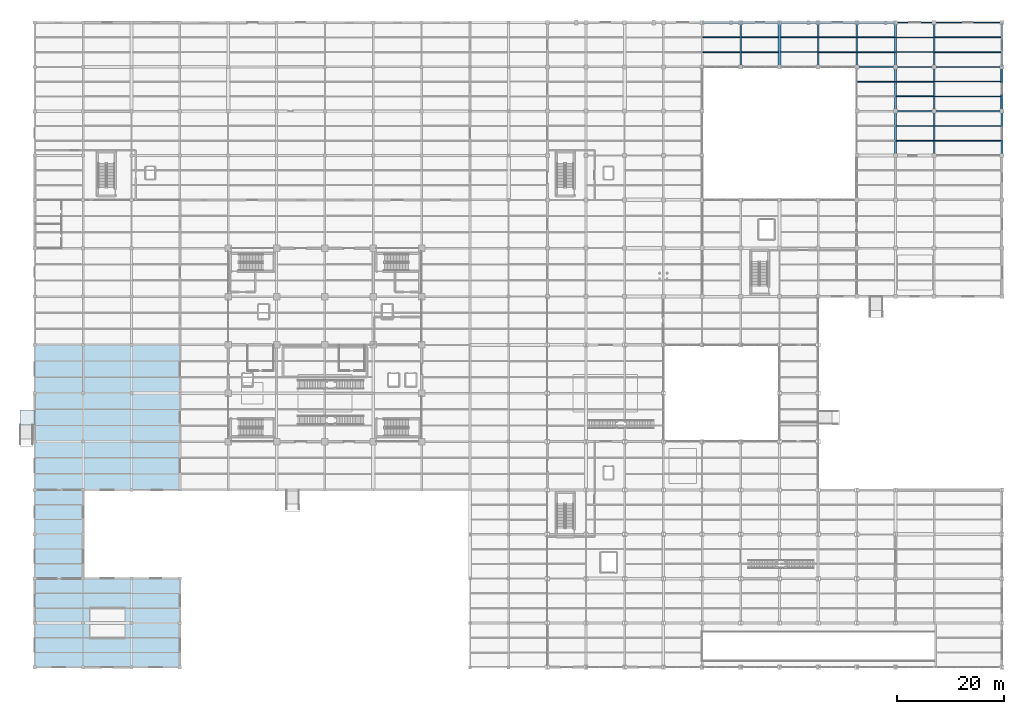
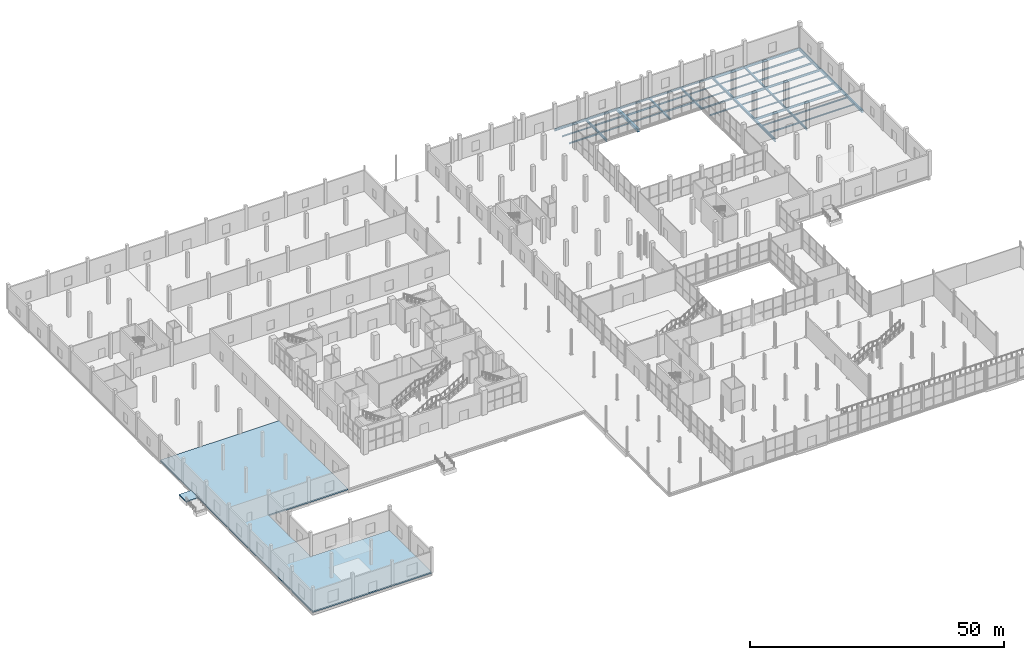
# One storey, part 114 of 144: 48 beams, 2 slabs.
"""IFC4 building model written with IfcOpenShell, lengths in metres."""

from ifc_helpers import new_model, si_unit, direction, frame, origin, origin_2d, place, context, subcontext, project, spatial, polyline, rectangle, i_section, outline, extrude, material, layer, layer_set, material_profile, profile_set, type_object, element, save


model = new_model("IFC4")

# Units and contexts
model_context = context("Model", 3, precision=1e-05, world=origin(), true_north=direction((0.0, 1.0)))
body_context = subcontext(model_context, "Body", "Model", "MODEL_VIEW")
ifc_project = project(units=[si_unit("LENGTHUNIT", "METRE"), si_unit("AREAUNIT", "SQUARE_METRE"), si_unit("VOLUMEUNIT", "CUBIC_METRE"), si_unit("PLANEANGLEUNIT", "RADIAN"), si_unit("MASSUNIT", "GRAM", prefix="KILO")], contexts=[model_context])

# Site, building, storey
site_placement = place(None, origin())
site = spatial("IfcSite", under=ifc_project, at=site_placement, CompositionType="ELEMENT")
building_placement = place(site_placement, origin())
building = spatial("IfcBuilding", under=site, at=building_placement, Name="Sundgate Opera House", CompositionType="ELEMENT")
storey_placement = place(building_placement, origin())
storey = spatial("IfcBuildingStorey", under=building, at=storey_placement, Name="L00", CompositionType="ELEMENT", Elevation=0.0)

# Beams
ifc_material_1 = material(Name="Steel S355J2", Category="steel")
ifc_material_profile_1 = material_profile(ifc_material_1, i_section(OverallWidth=0.300048828125, OverallDepth=0.330078125, WebThickness=0.009521484375, FlangeThickness=0.0166015625, at=origin_2d()), Name="HEA 340")
ifc_profile_set_1 = profile_set([ifc_material_profile_1], Name="Steel S355J2")
beam_type_1 = type_object("IfcBeamType", Name="BM-GR-HEA340", PredefinedType="BEAM", material=ifc_profile_set_1)
for number, where, z_axis, x_axis, name in (
    (1, (153.0, 111.75, -0.485107421875), (1.0, 0.0, 0.0), (0.0, 1.0, 0.0), "L00 Primary E-W Girder B0577"),
    (2, (153.0, 120.0, -0.485107421875), (1.0, 0.0, 0.0), (0.0, 1.0, 0.0), "L00 Primary E-W Girder B0599"),
):
    element("IfcBeam", number, at=place(storey_placement, frame(where, z_axis=z_axis, x_axis=x_axis)), inside=storey, type_object=beam_type_1, Name=name, PredefinedType="BEAM", context=body_context, shape_type="SweptSolid", body=[
        extrude(i_section(OverallWidth=0.300048828125, OverallDepth=0.330078125, WebThickness=0.009521484375, FlangeThickness=0.0166015625, at=origin_2d()), origin(), (0.0, 0.0, 1.0), 7.199951171875),
    ])
ifc_material_2 = material(Name="Steel S355J2", Category="steel")
ifc_material_profile_2 = material_profile(ifc_material_2, i_section(OverallWidth=0.300048828125, OverallDepth=0.35009765625, WebThickness=0.010009765625, FlangeThickness=0.017578125, at=origin_2d()), Name="HEA 360")
ifc_profile_set_2 = profile_set([ifc_material_profile_2], Name="Steel S355J2")
beam_type_2 = type_object("IfcBeamType", Name="BM-GR-HEA360", PredefinedType="BEAM", material=ifc_profile_set_2)
beam_1_placement = place(storey_placement, frame((167.39990234375, 111.75, -0.4951171875), z_axis=(0.0, 1.0, 0.0), x_axis=(-1.0, 0.0, 0.0)))
element("IfcBeam", 3, at=beam_1_placement, inside=storey, type_object=beam_type_2, Name="L00 Primary N-S Girder B0312", PredefinedType="BEAM", context=body_context, shape_type="SweptSolid", body=[
    extrude(i_section(OverallWidth=0.300048828125, OverallDepth=0.35009765625, WebThickness=0.010009765625, FlangeThickness=0.017578125, at=origin_2d()), origin(), (0.0, 0.0, 1.0), 8.25),
])
beam_2_placement = place(storey_placement, frame((145.800048828125, 120.0, -0.4951171875), z_axis=(1.0, 0.0, 0.0), x_axis=(0.0, 1.0, 0.0)))
element("IfcBeam", 4, at=beam_2_placement, inside=storey, type_object=beam_type_2, Name="L00 Primary E-W Girder B0598", PredefinedType="BEAM", context=body_context, shape_type="SweptSolid", body=[
    extrude(i_section(OverallWidth=0.300048828125, OverallDepth=0.35009765625, WebThickness=0.010009765625, FlangeThickness=0.017578125, at=origin_2d()), origin(), (0.0, 0.0, 1.0), 7.199951171875),
])
ifc_material_3 = material(Name="Steel S355J2", Category="steel")
ifc_material_profile_3 = material_profile(ifc_material_3, i_section(OverallWidth=0.300048828125, OverallDepth=0.389892578125, WebThickness=0.010986328125, FlangeThickness=0.01904296875, at=origin_2d()), Name="HEA 400")
ifc_profile_set_3 = profile_set([ifc_material_profile_3], Name="Steel S355J2")
beam_type_3 = type_object("IfcBeamType", Name="BM-GR-HEA400", PredefinedType="BEAM", material=ifc_profile_set_3)
beam_3_placement = place(storey_placement, frame((167.39990234375, 103.5, -0.514892578125), z_axis=(0.0, 1.0, 0.0), x_axis=(-1.0, 0.0, 0.0)))
element("IfcBeam", 5, at=beam_3_placement, inside=storey, type_object=beam_type_3, Name="L00 Primary N-S Girder B0311", PredefinedType="BEAM", context=body_context, shape_type="SweptSolid", body=[
    extrude(i_section(OverallWidth=0.300048828125, OverallDepth=0.389892578125, WebThickness=0.010986328125, FlangeThickness=0.01904296875, at=origin_2d()), origin(), (0.0, 0.0, 1.0), 8.25),
])
beam_4_placement = place(storey_placement, frame((138.60009765625, 120.0, -0.514892578125), z_axis=(1.0, 0.0, 0.0), x_axis=(0.0, 1.0, 0.0)))
element("IfcBeam", 6, at=beam_4_placement, inside=storey, type_object=beam_type_3, Name="L00 Primary E-W Girder B0597", PredefinedType="BEAM", context=body_context, shape_type="SweptSolid", body=[
    extrude(i_section(OverallWidth=0.300048828125, OverallDepth=0.389892578125, WebThickness=0.010986328125, FlangeThickness=0.01904296875, at=origin_2d()), origin(), (0.0, 0.0, 1.0), 7.199951171875),
])
ifc_material_4 = material(Name="Steel S355J2", Category="steel")
ifc_material_profile_4 = material_profile(ifc_material_4, i_section(OverallWidth=0.300048828125, OverallDepth=0.43994140625, WebThickness=0.011474609375, FlangeThickness=0.02099609375, at=origin_2d()), Name="HEA 450")
ifc_profile_set_4 = profile_set([ifc_material_profile_4], Name="Steel S355J2")
beam_type_4 = type_object("IfcBeamType", Name="BM-GR-HEA450", PredefinedType="BEAM", material=ifc_profile_set_4)
beam_5_placement = place(storey_placement, frame((167.39990234375, 95.25, -0.5400390625), z_axis=(0.0, 1.0, 0.0), x_axis=(-1.0, 0.0, 0.0)))
element("IfcBeam", 7, at=beam_5_placement, inside=storey, type_object=beam_type_4, Name="L00 Primary N-S Girder B0310", PredefinedType="BEAM", context=body_context, shape_type="SweptSolid", body=[
    extrude(i_section(OverallWidth=0.300048828125, OverallDepth=0.43994140625, WebThickness=0.011474609375, FlangeThickness=0.02099609375, at=origin_2d()), origin(), (0.0, 0.0, 1.0), 8.25),
])
beam_6_placement = place(storey_placement, frame((131.39990234375, 120.0, -0.5400390625), z_axis=(1.0, 0.0, 0.0), x_axis=(0.0, 1.0, 0.0)))
element("IfcBeam", 8, at=beam_6_placement, inside=storey, type_object=beam_type_4, Name="L00 Primary E-W Girder B0596", PredefinedType="BEAM", context=body_context, shape_type="SweptSolid", body=[
    extrude(i_section(OverallWidth=0.300048828125, OverallDepth=0.43994140625, WebThickness=0.011474609375, FlangeThickness=0.02099609375, at=origin_2d()), origin(), (0.0, 0.0, 1.0), 7.2001953125),
])
ifc_material_5 = material(Name="Steel S355J2", Category="steel")
ifc_material_profile_5 = material_profile(ifc_material_5, i_section(OverallWidth=0.300048828125, OverallDepth=0.489990234375, WebThickness=0.011962890625, FlangeThickness=0.02294921875, at=origin_2d()), Name="HEA 500")
ifc_profile_set_5 = profile_set([ifc_material_profile_5], Name="Steel S355J2")
beam_type_5 = type_object("IfcBeamType", Name="BM-GR-HEA500", PredefinedType="BEAM", material=ifc_profile_set_5)
beam_7_placement = place(storey_placement, frame((124.199951171875, 120.0, -0.56494140625), z_axis=(1.0, 0.0, 0.0), x_axis=(0.0, 1.0, 0.0)))
element("IfcBeam", 9, at=beam_7_placement, inside=storey, type_object=beam_type_5, Name="L00 Primary E-W Girder B0595", PredefinedType="BEAM", context=body_context, shape_type="SweptSolid", body=[
    extrude(i_section(OverallWidth=0.300048828125, OverallDepth=0.489990234375, WebThickness=0.011962890625, FlangeThickness=0.02294921875, at=origin_2d()), origin(), (0.0, 0.0, 1.0), 7.199951171875),
])
ifc_material_6 = material(Name="Steel S355J2", Category="steel")
ifc_material_profile_6 = material_profile(ifc_material_6, i_section(OverallWidth=0.300048828125, OverallDepth=0.590087890625, WebThickness=0.012939453125, FlangeThickness=0.02490234375, at=origin_2d()), Name="HEA 600")
ifc_profile_set_6 = profile_set([ifc_material_profile_6], Name="Steel S355J2")
beam_type_6 = type_object("IfcBeamType", Name="BM-GR-HEA600", PredefinedType="BEAM", material=ifc_profile_set_6)
beam_8_placement = place(storey_placement, frame((131.39990234375, 111.75, -0.614990234375), z_axis=(0.0, 1.0, 0.0), x_axis=(-1.0, 0.0, 0.0)))
element("IfcBeam", 10, at=beam_8_placement, inside=storey, type_object=beam_type_6, Name="L00 Primary N-S Girder B0265", PredefinedType="BEAM", context=body_context, shape_type="SweptSolid", body=[
    extrude(i_section(OverallWidth=0.300048828125, OverallDepth=0.590087890625, WebThickness=0.012939453125, FlangeThickness=0.02490234375, at=origin_2d()), origin(), (0.0, 0.0, 1.0), 8.25),
])
ifc_material_7 = material(Name="Steel S355J2", Category="steel")
ifc_material_profile_7 = material_profile(ifc_material_7, i_section(OverallWidth=0.300048828125, OverallDepth=0.39990234375, WebThickness=0.013427734375, FlangeThickness=0.02392578125, at=origin_2d()), Name="HEB 400")
ifc_profile_set_7 = profile_set([ifc_material_profile_7], Name="Steel S355J2")
beam_type_7 = type_object("IfcBeamType", Name="BM-GR-HEB400", PredefinedType="BEAM", material=ifc_profile_set_7)
beam_9_placement = place(storey_placement, frame((145.800048828125, 111.75, -0.52001953125), z_axis=(0.0, 1.0, 0.0), x_axis=(-1.0, 0.0, 0.0)))
element("IfcBeam", 11, at=beam_9_placement, inside=storey, type_object=beam_type_7, Name="L00 Primary N-S Girder B0285", PredefinedType="BEAM", context=body_context, shape_type="SweptSolid", body=[
    extrude(i_section(OverallWidth=0.300048828125, OverallDepth=0.39990234375, WebThickness=0.013427734375, FlangeThickness=0.02392578125, at=origin_2d()), origin(), (0.0, 0.0, 1.0), 8.25),
])
ifc_material_8 = material(Name="Steel S355J2", Category="steel")
ifc_material_profile_8 = material_profile(ifc_material_8, i_section(OverallWidth=0.300048828125, OverallDepth=0.60009765625, WebThickness=0.015380859375, FlangeThickness=0.030029296875, at=origin_2d()), Name="HEB 600")
ifc_profile_set_8 = profile_set([ifc_material_profile_8], Name="Steel S355J2")
beam_type_8 = type_object("IfcBeamType", Name="BM-GR-HEB600", PredefinedType="BEAM", material=ifc_profile_set_8)
beam_10_placement = place(storey_placement, frame((160.199951171875, 111.75, -0.6201171875), z_axis=(0.0, 1.0, 0.0), x_axis=(-1.0, 0.0, 0.0)))
element("IfcBeam", 12, at=beam_10_placement, inside=storey, type_object=beam_type_8, Name="L00 Primary N-S Girder B0303", PredefinedType="BEAM", context=body_context, shape_type="SweptSolid", body=[
    extrude(i_section(OverallWidth=0.300048828125, OverallDepth=0.60009765625, WebThickness=0.015380859375, FlangeThickness=0.030029296875, at=origin_2d()), origin(), (0.0, 0.0, 1.0), 8.25),
])
ifc_material_9 = material(Name="Steel S355J2", Category="steel")
ifc_material_profile_9 = material_profile(ifc_material_9, i_section(OverallWidth=0.300048828125, OverallDepth=0.64990234375, WebThickness=0.01611328125, FlangeThickness=0.031005859375, at=origin_2d()), Name="HEB 650")
ifc_profile_set_9 = profile_set([ifc_material_profile_9], Name="Steel S355J2")
beam_type_9 = type_object("IfcBeamType", Name="BM-GR-HEB650", PredefinedType="BEAM", material=ifc_profile_set_9)
beam_11_placement = place(storey_placement, frame((160.199951171875, 103.5, -0.64501953125), z_axis=(0.0, 1.0, 0.0), x_axis=(-1.0, 0.0, 0.0)))
element("IfcBeam", 13, at=beam_11_placement, inside=storey, type_object=beam_type_9, Name="L00 Primary N-S Girder B0302", PredefinedType="BEAM", context=body_context, shape_type="SweptSolid", body=[
    extrude(i_section(OverallWidth=0.300048828125, OverallDepth=0.64990234375, WebThickness=0.01611328125, FlangeThickness=0.031005859375, at=origin_2d()), origin(), (0.0, 0.0, 1.0), 8.25),
])
ifc_material_10 = material(Name="Steel S355J2", Category="steel")
ifc_material_profile_10 = material_profile(ifc_material_10, i_section(OverallWidth=0.300048828125, OverallDepth=0.699951171875, WebThickness=0.01708984375, FlangeThickness=0.031982421875, at=origin_2d()), Name="HEB 700")
ifc_profile_set_10 = profile_set([ifc_material_profile_10], Name="Steel S355J2")
beam_type_10 = type_object("IfcBeamType", Name="BM-GR-HEB700", PredefinedType="BEAM", material=ifc_profile_set_10)
for number, where, z_axis, x_axis, name in (
    (14, (160.199951171875, 95.25, -0.669921875), (0.0, 1.0, 0.0), (-1.0, 0.0, 0.0), "L00 Primary N-S Girder B0301"),
    (15, (180.0, 111.75, -0.669921875), (0.0, 1.0, 0.0), (-1.0, 0.0, 0.0), "L00 Primary N-S Girder B0322"),
):
    element("IfcBeam", number, at=place(storey_placement, frame(where, z_axis=z_axis, x_axis=x_axis)), inside=storey, type_object=beam_type_10, Name=name, PredefinedType="BEAM", context=body_context, shape_type="SweptSolid", body=[
        extrude(i_section(OverallWidth=0.300048828125, OverallDepth=0.699951171875, WebThickness=0.01708984375, FlangeThickness=0.031982421875, at=origin_2d()), origin(), (0.0, 0.0, 1.0), 8.25),
    ])
ifc_material_11 = material(Name="Steel S355J2", Category="steel")
ifc_material_profile_11 = material_profile(ifc_material_11, i_section(OverallWidth=0.2099609375, OverallDepth=0.550048828125, WebThickness=0.010986328125, FlangeThickness=0.01708984375, at=origin_2d()), Name="IPE 550")
ifc_profile_set_11 = profile_set([ifc_material_profile_11], Name="Steel S355J2")
beam_type_11 = type_object("IfcBeamType", Name="BM-GR-IPE550", PredefinedType="BEAM", material=ifc_profile_set_11)
beam_12_placement = place(storey_placement, frame((153.0, 111.75, -0.594970703125), z_axis=(0.0, 1.0, 0.0), x_axis=(-1.0, 0.0, 0.0)))
element("IfcBeam", 16, at=beam_12_placement, inside=storey, type_object=beam_type_11, Name="L00 Primary N-S Girder B0294", PredefinedType="BEAM", context=body_context, shape_type="SweptSolid", body=[
    extrude(i_section(OverallWidth=0.2099609375, OverallDepth=0.550048828125, WebThickness=0.010986328125, FlangeThickness=0.01708984375, at=origin_2d()), origin(), (0.0, 0.0, 1.0), 8.25),
])
for number, where, z_axis, x_axis, name in (
    (17, (167.39990234375, 103.5, -0.594970703125), (1.0, 0.0, 0.0), (0.0, 1.0, 0.0), "L00 Primary E-W Girder B0557"),
    (18, (167.39990234375, 111.75, -0.594970703125), (1.0, 0.0, 0.0), (0.0, 1.0, 0.0), "L00 Primary E-W Girder B0579"),
    (19, (167.39990234375, 120.0, -0.594970703125), (1.0, 0.0, 0.0), (0.0, 1.0, 0.0), "L00 Primary E-W Girder B0601"),
):
    element("IfcBeam", number, at=place(storey_placement, frame(where, z_axis=z_axis, x_axis=x_axis)), inside=storey, type_object=beam_type_11, Name=name, PredefinedType="BEAM", context=body_context, shape_type="SweptSolid", body=[
        extrude(i_section(OverallWidth=0.2099609375, OverallDepth=0.550048828125, WebThickness=0.010986328125, FlangeThickness=0.01708984375, at=origin_2d()), origin(), (0.0, 0.0, 1.0), 12.60009765625),
    ])
ifc_material_12 = material(Name="Steel S355J2", Category="steel")
ifc_material_profile_12 = material_profile(ifc_material_12, i_section(OverallWidth=0.219970703125, OverallDepth=0.60009765625, WebThickness=0.011962890625, FlangeThickness=0.01904296875, at=origin_2d()), Name="IPE 600")
ifc_profile_set_12 = profile_set([ifc_material_profile_12], Name="Steel S355J2")
beam_type_12 = type_object("IfcBeamType", Name="BM-GR-IPE600", PredefinedType="BEAM", material=ifc_profile_set_12)
for number, where, z_axis, x_axis, name in (
    (20, (160.199951171875, 103.5, -0.6201171875), (1.0, 0.0, 0.0), (0.0, 1.0, 0.0), "L00 Primary E-W Girder B0556"),
    (21, (160.199951171875, 111.75, -0.6201171875), (1.0, 0.0, 0.0), (0.0, 1.0, 0.0), "L00 Primary E-W Girder B0578"),
    (22, (160.199951171875, 120.0, -0.6201171875), (1.0, 0.0, 0.0), (0.0, 1.0, 0.0), "L00 Primary E-W Girder B0600"),
):
    element("IfcBeam", number, at=place(storey_placement, frame(where, z_axis=z_axis, x_axis=x_axis)), inside=storey, type_object=beam_type_12, Name=name, PredefinedType="BEAM", context=body_context, shape_type="SweptSolid", body=[
        extrude(i_section(OverallWidth=0.219970703125, OverallDepth=0.60009765625, WebThickness=0.011962890625, FlangeThickness=0.01904296875, at=origin_2d()), origin(), (0.0, 0.0, 1.0), 7.199951171875),
    ])
ifc_material_13 = material(Name="Steel S355J2", Category="steel")
ifc_material_profile_13 = material_profile(ifc_material_13, i_section(OverallWidth=0.1201171875, OverallDepth=0.239990234375, WebThickness=0.006103515625, FlangeThickness=0.009765625, at=origin_2d()), Name="IPE 240")
ifc_profile_set_13 = profile_set([ifc_material_profile_13], Name="Steel S355J2")
beam_type_13 = type_object("IfcBeamType", Name="BM-JS-IPE240", PredefinedType="JOIST", material=ifc_profile_set_13)
beam_13_placement = place(storey_placement, frame((167.550048828125, 109.0, -0.43994140625), z_axis=(1.0, 0.0, 0.0), x_axis=(0.0, 1.0, 0.0)))
element("IfcBeam", 23, at=beam_13_placement, inside=storey, type_object=beam_type_13, Name="L00 Secondary Floor Joist B1021", PredefinedType="JOIST", context=body_context, shape_type="SweptSolid", body=[
    extrude(i_section(OverallWidth=0.1201171875, OverallDepth=0.239990234375, WebThickness=0.006103515625, FlangeThickness=0.009765625, at=origin_2d()), origin(), (0.0, 0.0, 1.0), 12.27490234375),
])
beam_14_placement = place(storey_placement, frame((138.85009765625, 114.5, -0.43994140625), z_axis=(1.0, 0.0, 0.0), x_axis=(0.0, 1.0, 0.0)))
element("IfcBeam", 24, at=beam_14_placement, inside=storey, type_object=beam_type_13, Name="L00 Secondary Floor Joist B1056", PredefinedType="JOIST", context=body_context, shape_type="SweptSolid", body=[
    extrude(i_section(OverallWidth=0.1201171875, OverallDepth=0.239990234375, WebThickness=0.006103515625, FlangeThickness=0.009765625, at=origin_2d()), origin(), (0.0, 0.0, 1.0), 6.7998046875),
])
beam_15_placement = place(storey_placement, frame((160.35009765625, 117.25, -0.43994140625), z_axis=(1.0, 0.0, 0.0), x_axis=(0.0, 1.0, 0.0)))
element("IfcBeam", 25, at=beam_15_placement, inside=storey, type_object=beam_type_13, Name="L00 Secondary Floor Joist B1063", PredefinedType="JOIST", context=body_context, shape_type="SweptSolid", body=[
    extrude(i_section(OverallWidth=0.1201171875, OverallDepth=0.239990234375, WebThickness=0.006103515625, FlangeThickness=0.009765625, at=origin_2d()), origin(), (0.0, 0.0, 1.0), 6.89990234375),
])
ifc_material_14 = material(Name="Steel S355J2", Category="steel")
ifc_material_profile_14 = material_profile(ifc_material_14, i_section(OverallWidth=0.135009765625, OverallDepth=0.27001953125, WebThickness=0.006591796875, FlangeThickness=0.01025390625, at=origin_2d()), Name="IPE 270")
ifc_profile_set_14 = profile_set([ifc_material_profile_14], Name="Steel S355J2")
beam_type_14 = type_object("IfcBeamType", Name="BM-JS-IPE270", PredefinedType="JOIST", material=ifc_profile_set_14)
beam_16_placement = place(storey_placement, frame((167.550048828125, 100.75, -0.455078125), z_axis=(1.0, 0.0, 0.0), x_axis=(0.0, 1.0, 0.0)))
element("IfcBeam", 26, at=beam_16_placement, inside=storey, type_object=beam_type_14, Name="L00 Secondary Floor Joist B0985", PredefinedType="JOIST", context=body_context, shape_type="SweptSolid", body=[
    extrude(i_section(OverallWidth=0.135009765625, OverallDepth=0.27001953125, WebThickness=0.006591796875, FlangeThickness=0.01025390625, at=origin_2d()), origin(), (0.0, 0.0, 1.0), 12.25),
])
beam_17_placement = place(storey_placement, frame((167.550048828125, 106.25, -0.455078125), z_axis=(1.0, 0.0, 0.0), x_axis=(0.0, 1.0, 0.0)))
element("IfcBeam", 27, at=beam_17_placement, inside=storey, type_object=beam_type_14, Name="L00 Secondary Floor Joist B1020", PredefinedType="JOIST", context=body_context, shape_type="SweptSolid", body=[
    extrude(i_section(OverallWidth=0.135009765625, OverallDepth=0.27001953125, WebThickness=0.006591796875, FlangeThickness=0.01025390625, at=origin_2d()), origin(), (0.0, 0.0, 1.0), 12.27490234375),
])
beam_18_placement = place(storey_placement, frame((131.550048828125, 117.25, -0.455078125), z_axis=(1.0, 0.0, 0.0), x_axis=(0.0, 1.0, 0.0)))
element("IfcBeam", 28, at=beam_18_placement, inside=storey, type_object=beam_type_14, Name="L00 Secondary Floor Joist B1055", PredefinedType="JOIST", context=body_context, shape_type="SweptSolid", body=[
    extrude(i_section(OverallWidth=0.135009765625, OverallDepth=0.27001953125, WebThickness=0.006591796875, FlangeThickness=0.01025390625, at=origin_2d()), origin(), (0.0, 0.0, 1.0), 6.800048828125),
])
beam_19_placement = place(storey_placement, frame((160.35009765625, 114.5, -0.455078125), z_axis=(1.0, 0.0, 0.0), x_axis=(0.0, 1.0, 0.0)))
element("IfcBeam", 29, at=beam_19_placement, inside=storey, type_object=beam_type_14, Name="L00 Secondary Floor Joist B1062", PredefinedType="JOIST", context=body_context, shape_type="SweptSolid", body=[
    extrude(i_section(OverallWidth=0.135009765625, OverallDepth=0.27001953125, WebThickness=0.006591796875, FlangeThickness=0.01025390625, at=origin_2d()), origin(), (0.0, 0.0, 1.0), 6.89990234375),
])
ifc_material_15 = material(Name="Steel S355J2", Category="steel")
ifc_material_profile_15 = material_profile(ifc_material_15, i_section(OverallWidth=0.14990234375, OverallDepth=0.300048828125, WebThickness=0.007080078125, FlangeThickness=0.0107421875, at=origin_2d()), Name="IPE 300")
ifc_profile_set_15 = profile_set([ifc_material_profile_15], Name="Steel S355J2")
beam_type_15 = type_object("IfcBeamType", Name="BM-JS-IPE300", PredefinedType="JOIST", material=ifc_profile_set_15)
beam_20_placement = place(storey_placement, frame((167.550048828125, 98.0, -0.469970703125), z_axis=(1.0, 0.0, 0.0), x_axis=(0.0, 1.0, 0.0)))
element("IfcBeam", 30, at=beam_20_placement, inside=storey, type_object=beam_type_15, Name="L00 Secondary Floor Joist B0984", PredefinedType="JOIST", context=body_context, shape_type="SweptSolid", body=[
    extrude(i_section(OverallWidth=0.14990234375, OverallDepth=0.300048828125, WebThickness=0.007080078125, FlangeThickness=0.0107421875, at=origin_2d()), origin(), (0.0, 0.0, 1.0), 12.25),
])
beam_21_placement = place(storey_placement, frame((160.35009765625, 109.0, -0.469970703125), z_axis=(1.0, 0.0, 0.0), x_axis=(0.0, 1.0, 0.0)))
element("IfcBeam", 31, at=beam_21_placement, inside=storey, type_object=beam_type_15, Name="L00 Secondary Floor Joist B1019", PredefinedType="JOIST", context=body_context, shape_type="SweptSolid", body=[
    extrude(i_section(OverallWidth=0.14990234375, OverallDepth=0.300048828125, WebThickness=0.007080078125, FlangeThickness=0.0107421875, at=origin_2d()), origin(), (0.0, 0.0, 1.0), 6.89990234375),
])
beam_22_placement = place(storey_placement, frame((131.550048828125, 114.5, -0.469970703125), z_axis=(1.0, 0.0, 0.0), x_axis=(0.0, 1.0, 0.0)))
element("IfcBeam", 32, at=beam_22_placement, inside=storey, type_object=beam_type_15, Name="L00 Secondary Floor Joist B1054", PredefinedType="JOIST", context=body_context, shape_type="SweptSolid", body=[
    extrude(i_section(OverallWidth=0.14990234375, OverallDepth=0.300048828125, WebThickness=0.007080078125, FlangeThickness=0.0107421875, at=origin_2d()), origin(), (0.0, 0.0, 1.0), 6.800048828125),
])
beam_23_placement = place(storey_placement, frame((153.10498046875, 117.25, -0.469970703125), z_axis=(1.0, 0.0, 0.0), x_axis=(0.0, 1.0, 0.0)))
element("IfcBeam", 33, at=beam_23_placement, inside=storey, type_object=beam_type_15, Name="L00 Secondary Floor Joist B1061", PredefinedType="JOIST", context=body_context, shape_type="SweptSolid", body=[
    extrude(i_section(OverallWidth=0.14990234375, OverallDepth=0.300048828125, WebThickness=0.007080078125, FlangeThickness=0.0107421875, at=origin_2d()), origin(), (0.0, 0.0, 1.0), 6.945068359375),
])
ifc_material_16 = material(Name="Steel S355J2", Category="steel")
ifc_material_profile_16 = material_profile(ifc_material_16, i_section(OverallWidth=0.159912109375, OverallDepth=0.330078125, WebThickness=0.007568359375, FlangeThickness=0.011474609375, at=origin_2d()), Name="IPE 330")
ifc_profile_set_16 = profile_set([ifc_material_profile_16], Name="Steel S355J2")
beam_type_16 = type_object("IfcBeamType", Name="BM-JS-IPE330", PredefinedType="JOIST", material=ifc_profile_set_16)
for number, where, z_axis, x_axis, name in (
    (34, (160.35009765625, 100.75, -0.485107421875), (1.0, 0.0, 0.0), (0.0, 1.0, 0.0), "L00 Secondary Floor Joist B0983"),
    (35, (160.35009765625, 106.25, -0.485107421875), (1.0, 0.0, 0.0), (0.0, 1.0, 0.0), "L00 Secondary Floor Joist B1018"),
    (36, (124.35009765625, 117.25, -0.485107421875), (1.0, 0.0, 0.0), (0.0, 1.0, 0.0), "L00 Secondary Floor Joist B1053"),
):
    element("IfcBeam", number, at=place(storey_placement, frame(where, z_axis=z_axis, x_axis=x_axis)), inside=storey, type_object=beam_type_16, Name=name, PredefinedType="JOIST", context=body_context, shape_type="SweptSolid", body=[
        extrude(i_section(OverallWidth=0.159912109375, OverallDepth=0.330078125, WebThickness=0.007568359375, FlangeThickness=0.011474609375, at=origin_2d()), origin(), (0.0, 0.0, 1.0), 6.89990234375),
    ])
beam_24_placement = place(storey_placement, frame((153.10498046875, 114.5, -0.485107421875), z_axis=(1.0, 0.0, 0.0), x_axis=(0.0, 1.0, 0.0)))
element("IfcBeam", 37, at=beam_24_placement, inside=storey, type_object=beam_type_16, Name="L00 Secondary Floor Joist B1060", PredefinedType="JOIST", context=body_context, shape_type="SweptSolid", body=[
    extrude(i_section(OverallWidth=0.159912109375, OverallDepth=0.330078125, WebThickness=0.007568359375, FlangeThickness=0.011474609375, at=origin_2d()), origin(), (0.0, 0.0, 1.0), 6.945068359375),
])
ifc_material_17 = material(Name="Steel S355J2", Category="steel")
ifc_material_profile_17 = material_profile(ifc_material_17, i_section(OverallWidth=0.169921875, OverallDepth=0.360107421875, WebThickness=0.008056640625, FlangeThickness=0.0126953125, at=origin_2d()), Name="IPE 360")
ifc_profile_set_17 = profile_set([ifc_material_profile_17], Name="Steel S355J2")
beam_type_17 = type_object("IfcBeamType", Name="BM-JS-IPE360", PredefinedType="JOIST", material=ifc_profile_set_17)
beam_25_placement = place(storey_placement, frame((160.35009765625, 98.0, -0.5), z_axis=(1.0, 0.0, 0.0), x_axis=(0.0, 1.0, 0.0)))
element("IfcBeam", 38, at=beam_25_placement, inside=storey, type_object=beam_type_17, Name="L00 Secondary Floor Joist B0982", PredefinedType="JOIST", context=body_context, shape_type="SweptSolid", body=[
    extrude(i_section(OverallWidth=0.169921875, OverallDepth=0.360107421875, WebThickness=0.008056640625, FlangeThickness=0.0126953125, at=origin_2d()), origin(), (0.0, 0.0, 1.0), 6.89990234375),
])
beam_26_placement = place(storey_placement, frame((153.110107421875, 109.0, -0.5), z_axis=(1.0, 0.0, 0.0), x_axis=(0.0, 1.0, 0.0)))
element("IfcBeam", 39, at=beam_26_placement, inside=storey, type_object=beam_type_17, Name="L00 Secondary Floor Joist B1017", PredefinedType="JOIST", context=body_context, shape_type="SweptSolid", body=[
    extrude(i_section(OverallWidth=0.169921875, OverallDepth=0.360107421875, WebThickness=0.008056640625, FlangeThickness=0.0126953125, at=origin_2d()), origin(), (0.0, 0.0, 1.0), 6.93994140625),
])
beam_27_placement = place(storey_placement, frame((124.35009765625, 114.5, -0.5), z_axis=(1.0, 0.0, 0.0), x_axis=(0.0, 1.0, 0.0)))
element("IfcBeam", 40, at=beam_27_placement, inside=storey, type_object=beam_type_17, Name="L00 Secondary Floor Joist B1052", PredefinedType="JOIST", context=body_context, shape_type="SweptSolid", body=[
    extrude(i_section(OverallWidth=0.169921875, OverallDepth=0.360107421875, WebThickness=0.008056640625, FlangeThickness=0.0126953125, at=origin_2d()), origin(), (0.0, 0.0, 1.0), 6.89990234375),
])
beam_28_placement = place(storey_placement, frame((145.949951171875, 117.25, -0.5), z_axis=(1.0, 0.0, 0.0), x_axis=(0.0, 1.0, 0.0)))
element("IfcBeam", 41, at=beam_28_placement, inside=storey, type_object=beam_type_17, Name="L00 Secondary Floor Joist B1059", PredefinedType="JOIST", context=body_context, shape_type="SweptSolid", body=[
    extrude(i_section(OverallWidth=0.169921875, OverallDepth=0.360107421875, WebThickness=0.008056640625, FlangeThickness=0.0126953125, at=origin_2d()), origin(), (0.0, 0.0, 1.0), 6.945068359375),
])
ifc_material_18 = material(Name="Steel S355J2", Category="steel")
ifc_material_profile_18 = material_profile(ifc_material_18, i_section(OverallWidth=0.179931640625, OverallDepth=0.39990234375, WebThickness=0.008544921875, FlangeThickness=0.013427734375, at=origin_2d()), Name="IPE 400")
ifc_profile_set_18 = profile_set([ifc_material_profile_18], Name="Steel S355J2")
beam_type_18 = type_object("IfcBeamType", Name="BM-JS-IPE400", PredefinedType="JOIST", material=ifc_profile_set_18)
beam_29_placement = place(storey_placement, frame((145.949951171875, 114.5, -0.52001953125), z_axis=(1.0, 0.0, 0.0), x_axis=(0.0, 1.0, 0.0)))
element("IfcBeam", 42, at=beam_29_placement, inside=storey, type_object=beam_type_18, Name="L00 Secondary Floor Joist B1058", PredefinedType="JOIST", context=body_context, shape_type="SweptSolid", body=[
    extrude(i_section(OverallWidth=0.179931640625, OverallDepth=0.39990234375, WebThickness=0.008544921875, FlangeThickness=0.013427734375, at=origin_2d()), origin(), (0.0, 0.0, 1.0), 6.945068359375),
])
beam_30_placement = place(storey_placement, frame((167.550048828125, 117.25, -0.52001953125), z_axis=(1.0, 0.0, 0.0), x_axis=(0.0, 1.0, 0.0)))
element("IfcBeam", 43, at=beam_30_placement, inside=storey, type_object=beam_type_18, Name="L00 Secondary Floor Joist B1065", PredefinedType="JOIST", context=body_context, shape_type="SweptSolid", body=[
    extrude(i_section(OverallWidth=0.179931640625, OverallDepth=0.39990234375, WebThickness=0.008544921875, FlangeThickness=0.013427734375, at=origin_2d()), origin(), (0.0, 0.0, 1.0), 12.300048828125),
])
ifc_material_19 = material(Name="Steel S355J2", Category="steel")
ifc_material_profile_19 = material_profile(ifc_material_19, i_section(OverallWidth=0.18994140625, OverallDepth=0.449951171875, WebThickness=0.009521484375, FlangeThickness=0.0146484375, at=origin_2d()), Name="IPE 450")
ifc_profile_set_19 = profile_set([ifc_material_profile_19], Name="Steel S355J2")
beam_type_19 = type_object("IfcBeamType", Name="BM-JS-IPE450", PredefinedType="JOIST", material=ifc_profile_set_19)
beam_31_placement = place(storey_placement, frame((138.85009765625, 117.25, -0.544921875), z_axis=(1.0, 0.0, 0.0), x_axis=(0.0, 1.0, 0.0)))
element("IfcBeam", 44, at=beam_31_placement, inside=storey, type_object=beam_type_19, Name="L00 Secondary Floor Joist B1057", PredefinedType="JOIST", context=body_context, shape_type="SweptSolid", body=[
    extrude(i_section(OverallWidth=0.18994140625, OverallDepth=0.449951171875, WebThickness=0.009521484375, FlangeThickness=0.0146484375, at=origin_2d()), origin(), (0.0, 0.0, 1.0), 6.7998046875),
])
beam_32_placement = place(storey_placement, frame((167.550048828125, 114.5, -0.544921875), z_axis=(1.0, 0.0, 0.0), x_axis=(0.0, 1.0, 0.0)))
element("IfcBeam", 45, at=beam_32_placement, inside=storey, type_object=beam_type_19, Name="L00 Secondary Floor Joist B1064", PredefinedType="JOIST", context=body_context, shape_type="SweptSolid", body=[
    extrude(i_section(OverallWidth=0.18994140625, OverallDepth=0.449951171875, WebThickness=0.009521484375, FlangeThickness=0.0146484375, at=origin_2d()), origin(), (0.0, 0.0, 1.0), 12.300048828125),
])
ifc_material_20 = material(Name="Concrete C35/45", Category="concrete")
ifc_material_profile_20 = material_profile(ifc_material_20, rectangle(XDim=0.35009765625, YDim=0.550048828125, at=origin_2d()), Name="RC 350x550")
ifc_profile_set_20 = profile_set([ifc_material_profile_20], Name="Concrete C35/45")
beam_type_20 = type_object("IfcBeamType", Name="BM-RC-350x550", PredefinedType="BEAM", material=ifc_profile_set_20)
beam_33_placement = place(storey_placement, frame((180.0, 103.5, -0.594970703125), z_axis=(0.0, 1.0, 0.0), x_axis=(-1.0, 0.0, 0.0)))
element("IfcBeam", 46, at=beam_33_placement, inside=storey, type_object=beam_type_20, Name="L00 Primary N-S Girder B0321", PredefinedType="BEAM", context=body_context, shape_type="SweptSolid", body=[
    extrude(rectangle(XDim=0.35009765625, YDim=0.550048828125, at=origin_2d()), origin(), (0.0, 0.0, 1.0), 8.25),
])
ifc_material_21 = material(Name="Concrete C35/45", Category="concrete")
ifc_material_profile_21 = material_profile(ifc_material_21, rectangle(XDim=0.39990234375, YDim=0.60009765625, at=origin_2d()), Name="RC 400x600")
ifc_profile_set_21 = profile_set([ifc_material_profile_21], Name="Concrete C35/45")
beam_type_21 = type_object("IfcBeamType", Name="BM-RC-400x600", PredefinedType="BEAM", material=ifc_profile_set_21)
beam_34_placement = place(storey_placement, frame((180.0, 95.25, -0.6201171875), z_axis=(0.0, 1.0, 0.0), x_axis=(-1.0, 0.0, 0.0)))
element("IfcBeam", 47, at=beam_34_placement, inside=storey, type_object=beam_type_21, Name="L00 Primary N-S Girder B0320", PredefinedType="BEAM", context=body_context, shape_type="SweptSolid", body=[
    extrude(rectangle(XDim=0.39990234375, YDim=0.60009765625, at=origin_2d()), origin(), (0.0, 0.0, 1.0), 8.25),
])
ifc_material_22 = material(Name="Concrete C40/50", Category="concrete")
ifc_material_profile_22 = material_profile(ifc_material_22, rectangle(XDim=0.5, YDim=0.75, at=origin_2d()), Name="RC 500x750")
ifc_profile_set_22 = profile_set([ifc_material_profile_22], Name="Concrete C40/50")
beam_type_22 = type_object("IfcBeamType", Name="BM-RC-500x750", PredefinedType="BEAM", material=ifc_profile_set_22)
beam_35_placement = place(storey_placement, frame((138.60009765625, 111.75, -0.695068359375), z_axis=(0.0, 1.0, 0.0), x_axis=(-1.0, 0.0, 0.0)))
element("IfcBeam", 48, at=beam_35_placement, inside=storey, type_object=beam_type_22, Name="L00 Primary N-S Girder B0275", PredefinedType="BEAM", context=body_context, shape_type="SweptSolid", body=[
    extrude(rectangle(XDim=0.5, YDim=0.75, at=origin_2d()), origin(), (0.0, 0.0, 1.0), 8.25),
])

# Slabs
ifc_material_23 = material(Name="Concrete C35/45", Category="concrete")
ifc_layer_1 = layer(ifc_material_23, 0.25)
ifc_layer_set_1 = layer_set([ifc_layer_1], Name="Concrete C35/45")
slab_type_1 = type_object("IfcSlabType", Name="SL-EXT-250", PredefinedType="FLOOR", material=ifc_layer_set_1)
slab_1_placement = place(storey_placement, frame((0.0, 0.0, -0.25)))
element("IfcSlab", 49, at=slab_1_placement, inside=storey, type_object=slab_type_1, Name="West Harbour Exit E17 Top Landing Slab", PredefinedType="FLOOR", context=body_context, shape_type="SweptSolid", body=[
    extrude(outline(polyline([(-2.75, 45.10009765625), (0.0, 45.10009765625), (0.0, 47.89990234375), (-2.75, 47.89990234375), (-2.75, 45.10009765625)])), origin(), (0.0, 0.0, 1.0), 0.25),
])
ifc_material_24 = material(Name="Concrete C40/50", Category="concrete")
ifc_layer_2 = layer(ifc_material_24, 0.320068359375)
ifc_layer_set_2 = layer_set([ifc_layer_2], Name="Concrete C40/50")
slab_type_2 = type_object("IfcSlabType", Name="SL-FLR-320", PredefinedType="FLOOR", material=ifc_layer_set_2)
slab_2_placement = place(storey_placement, frame((0.0, 0.0, -0.320068359375)))
element("IfcSlab", 50, at=slab_2_placement, inside=storey, type_object=slab_type_2, Name="L00 Structural Floor Slab V5", PredefinedType="FLOOR", context=body_context, shape_type="SweptSolid", body=[
    extrude(outline(polyline([(0.0, 0.0), (27.0, 0.0), (27.0, 16.5), (9.0, 16.5), (9.0, 33.0), (27.0, 33.0), (27.0, 60.0), (0.0, 60.0), (0.0, 0.0)])), origin(), (0.0, 0.0, 1.0), 0.320068359375),
])

save(model, "model.ifc")
